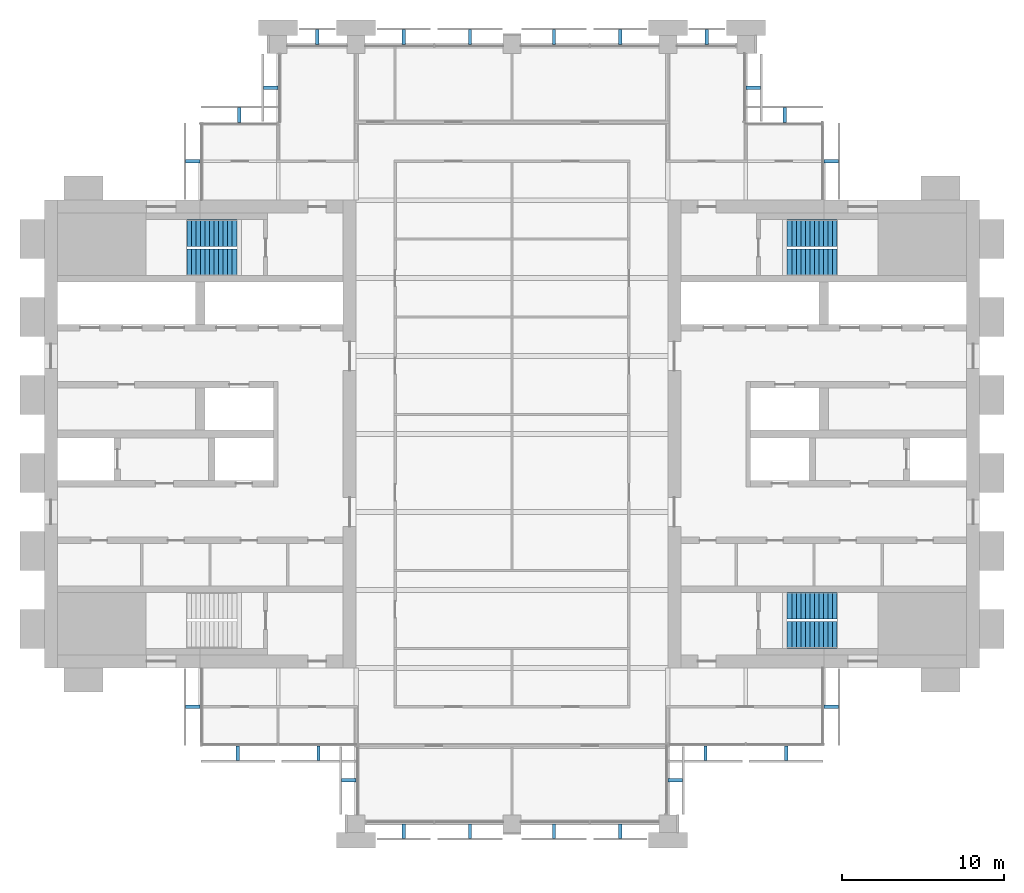
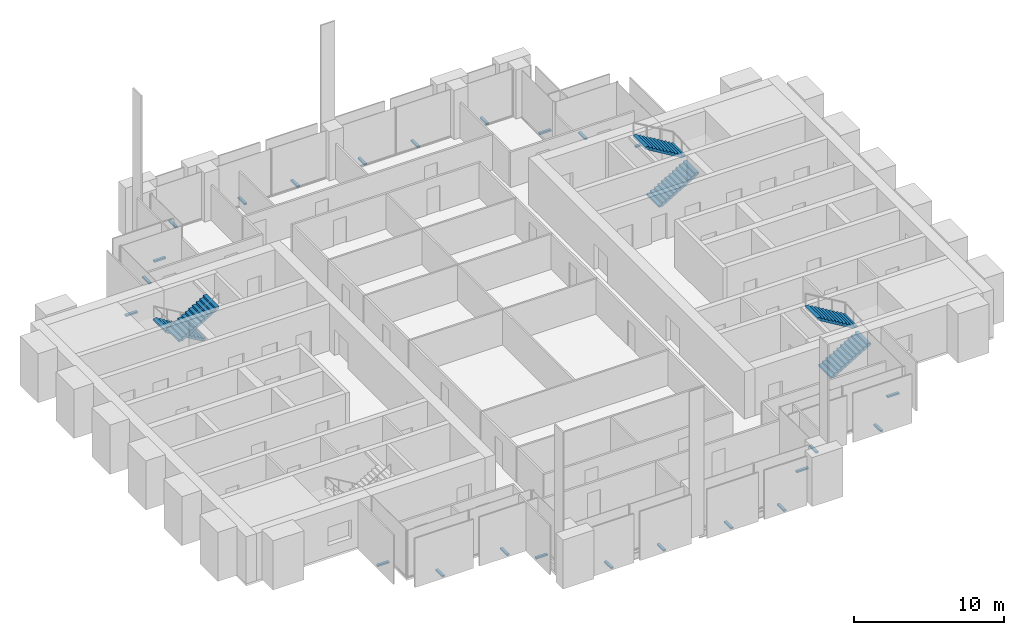
# One storey, part 12 of 13: 24 discrete accessories, 6 stair flights, 3 elements without a shape of their own.
"""IFC4 building model written with IfcOpenShell, lengths in metres."""

from ifc_helpers import new_model, si_unit, direction, frame, origin, origin_2d, place, context, subcontext, project, spatial, polyline, rectangle, outline, extrude, material, type_object, element, aggregate, save


model = new_model("IFC4")

# Units and contexts
model_context = context("Model", 3, precision=1e-05, world=origin(), true_north=direction((0.0, 1.0)))
body_context = subcontext(model_context, "Body", "Model", "MODEL_VIEW")
ifc_project = project(units=[si_unit("LENGTHUNIT", "METRE"), si_unit("AREAUNIT", "SQUARE_METRE"), si_unit("VOLUMEUNIT", "CUBIC_METRE"), si_unit("PLANEANGLEUNIT", "RADIAN"), si_unit("MASSUNIT", "GRAM", prefix="KILO")], contexts=[model_context])

# Site, building, storey
site_placement = place(None, origin())
site = spatial("IfcSite", under=ifc_project, at=site_placement, CompositionType="ELEMENT")
building_placement = place(site_placement, origin())
building = spatial("IfcBuilding", under=site, at=building_placement, Name="Baori Bourse Tower", CompositionType="ELEMENT")
storey_placement = place(building_placement, frame((0.0, 0.0, 201.199951171875)))
storey = spatial("IfcBuildingStorey", under=building, at=storey_placement, Name="L43", CompositionType="ELEMENT", Elevation=201.199951171875)

# Stair, stair flights
ifc_material_1 = material(Name="Concrete f'c 50 MPa", Category="concrete")
stair_type = type_object("IfcStairType", Name="Core stair", PredefinedType="HALF_TURN_STAIR", material=ifc_material_1)
stair_1_placement = place(storey_placement, origin())
stair_1 = element("IfcStair", 1, at=stair_1_placement, inside=storey, type_object=stair_type, Name="L43 Stair WB", PredefinedType="HALF_TURN_STAIR")
ifc_material_2 = material(Name="Concrete f'c 50 MPa", Category="concrete")
stair_flight_type = type_object("IfcStairFlightType", Name="Core stair flight", PredefinedType="STRAIGHT", material=ifc_material_2)
stair_flight_1_placement = place(storey_placement, frame((11.85009765625, 36.375, 0.0), z_axis=(0.0, 0.0, 1.0), x_axis=(-1.0, 0.0, 0.0)))
stair_flight_1 = element("IfcStairFlight", 2, at=stair_flight_1_placement, type_object=stair_flight_type, Name="ST2 flight 1", NumberOfRisers=12, NumberOfTreads=11, PredefinedType="STRAIGHT", RiserHeight=0.166666667, TreadLength=0.28, context=body_context, shape_type="SweptSolid", body=[
    extrude(outline(polyline([(0.0, 0.0), (0.0, 0.166748046875), (0.280029296875, 0.166748046875), (0.280029296875, 0.333251953125), (0.56005859375, 0.333251953125), (0.56005859375, 0.5), (0.840087890625, 0.5), (0.840087890625, 0.666748046875), (1.1201171875, 0.666748046875), (1.1201171875, 0.833251953125), (1.39990234375, 0.833251953125), (1.39990234375, 1.0), (1.679931640625, 1.0), (1.679931640625, 1.166748046875), (1.9599609375, 1.166748046875), (1.9599609375, 1.333251953125), (2.239990234375, 1.333251953125), (2.239990234375, 1.5), (2.52001953125, 1.5), (2.52001953125, 1.666748046875), (2.800048828125, 1.666748046875), (2.800048828125, 1.833251953125), (3.080078125, 1.833251953125), (3.080078125, 2.0), (3.080078125, 1.658935546875), (0.29296875, 0.0), (0.0, 0.0)])), frame((0.0, 0.824951171875, 0.0), z_axis=(0.0, -1.0, 0.0), x_axis=(1.0, 0.0, 0.0)), (0.0, 0.0, 1.0), 1.64990234375),
])
stair_flight_2_placement = place(storey_placement, frame((8.77001953125, 34.574951171875, 2.0), z_axis=(0.0, 0.0, 1.0), x_axis=(1.0, 0.0, 0.0)))
stair_flight_2 = element("IfcStairFlight", 3, at=stair_flight_2_placement, type_object=stair_flight_type, Name="ST2 flight 2", NumberOfRisers=12, NumberOfTreads=11, PredefinedType="STRAIGHT", RiserHeight=0.166666667, TreadLength=0.28, context=body_context, shape_type="SweptSolid", body=[
    extrude(outline(polyline([(0.0, 0.0), (0.0, 0.166748046875), (0.280029296875, 0.166748046875), (0.280029296875, 0.333251953125), (0.56005859375, 0.333251953125), (0.56005859375, 0.5), (0.840087890625, 0.5), (0.840087890625, 0.666748046875), (1.1201171875, 0.666748046875), (1.1201171875, 0.833251953125), (1.39990234375, 0.833251953125), (1.39990234375, 1.0), (1.679931640625, 1.0), (1.679931640625, 1.166748046875), (1.9599609375, 1.166748046875), (1.9599609375, 1.333251953125), (2.239990234375, 1.333251953125), (2.239990234375, 1.5), (2.52001953125, 1.5), (2.52001953125, 1.666748046875), (2.800048828125, 1.666748046875), (2.800048828125, 1.833251953125), (3.080078125, 1.833251953125), (3.080078125, 2.0), (3.080078125, 1.658935546875), (0.29296875, 0.0), (0.0, 0.0)])), frame((0.0, 0.824951171875, 0.0), z_axis=(0.0, -1.0, 0.0), x_axis=(1.0, 0.0, 0.0)), (0.0, 0.0, 1.0), 1.64990234375),
])
aggregate(stair_1, [stair_flight_1, stair_flight_2])

stair_2_placement = place(storey_placement, origin())
stair_2 = element("IfcStair", 4, at=stair_2_placement, inside=storey, type_object=stair_type, Name="L43 Stair EA", PredefinedType="HALF_TURN_STAIR")
stair_flight_3_placement = place(storey_placement, frame((45.75, 11.625, 0.0), z_axis=(0.0, 0.0, 1.0), x_axis=(1.0, 0.0, 0.0)))
stair_flight_3 = element("IfcStairFlight", 5, at=stair_flight_3_placement, type_object=stair_flight_type, Name="ST3 flight 1", NumberOfRisers=12, NumberOfTreads=11, PredefinedType="STRAIGHT", RiserHeight=0.166666667, TreadLength=0.28, context=body_context, shape_type="SweptSolid", body=[
    extrude(outline(polyline([(0.0, 0.0), (0.0, 0.166748046875), (0.280029296875, 0.166748046875), (0.280029296875, 0.333251953125), (0.56005859375, 0.333251953125), (0.56005859375, 0.5), (0.840087890625, 0.5), (0.840087890625, 0.666748046875), (1.1201171875, 0.666748046875), (1.1201171875, 0.833251953125), (1.39990234375, 0.833251953125), (1.39990234375, 1.0), (1.679931640625, 1.0), (1.679931640625, 1.166748046875), (1.9599609375, 1.166748046875), (1.9599609375, 1.333251953125), (2.239990234375, 1.333251953125), (2.239990234375, 1.5), (2.52001953125, 1.5), (2.52001953125, 1.666748046875), (2.800048828125, 1.666748046875), (2.800048828125, 1.833251953125), (3.080078125, 1.833251953125), (3.080078125, 2.0), (3.080078125, 1.658935546875), (0.29296875, 0.0), (0.0, 0.0)])), frame((0.0, 0.824951171875, 0.0), z_axis=(0.0, -1.0, 0.0), x_axis=(1.0, 0.0, 0.0)), (0.0, 0.0, 1.0), 1.64990234375),
])
stair_flight_4_placement = place(storey_placement, frame((48.830078125, 13.425048828125, 2.0), z_axis=(0.0, 0.0, 1.0), x_axis=(-1.0, 0.0, 0.0)))
stair_flight_4 = element("IfcStairFlight", 6, at=stair_flight_4_placement, type_object=stair_flight_type, Name="ST3 flight 2", NumberOfRisers=12, NumberOfTreads=11, PredefinedType="STRAIGHT", RiserHeight=0.166666667, TreadLength=0.28, context=body_context, shape_type="SweptSolid", body=[
    extrude(outline(polyline([(0.0, 0.0), (0.0, 0.166748046875), (0.280029296875, 0.166748046875), (0.280029296875, 0.333251953125), (0.56005859375, 0.333251953125), (0.56005859375, 0.5), (0.840087890625, 0.5), (0.840087890625, 0.666748046875), (1.1201171875, 0.666748046875), (1.1201171875, 0.833251953125), (1.39990234375, 0.833251953125), (1.39990234375, 1.0), (1.679931640625, 1.0), (1.679931640625, 1.166748046875), (1.9599609375, 1.166748046875), (1.9599609375, 1.333251953125), (2.239990234375, 1.333251953125), (2.239990234375, 1.5), (2.52001953125, 1.5), (2.52001953125, 1.666748046875), (2.800048828125, 1.666748046875), (2.800048828125, 1.833251953125), (3.080078125, 1.833251953125), (3.080078125, 2.0), (3.080078125, 1.658935546875), (0.29296875, 0.0), (0.0, 0.0)])), frame((0.0, 0.824951171875, 0.0), z_axis=(0.0, -1.0, 0.0), x_axis=(1.0, 0.0, 0.0)), (0.0, 0.0, 1.0), 1.64990234375),
])
aggregate(stair_2, [stair_flight_3, stair_flight_4])

stair_3_placement = place(storey_placement, origin())
stair_3 = element("IfcStair", 7, at=stair_3_placement, inside=storey, type_object=stair_type, Name="L43 Stair EB", PredefinedType="HALF_TURN_STAIR")
stair_flight_5_placement = place(storey_placement, frame((45.75, 34.574951171875, 0.0), z_axis=(0.0, 0.0, 1.0), x_axis=(1.0, 0.0, 0.0)))
stair_flight_5 = element("IfcStairFlight", 8, at=stair_flight_5_placement, type_object=stair_flight_type, Name="ST4 flight 1", NumberOfRisers=12, NumberOfTreads=11, PredefinedType="STRAIGHT", RiserHeight=0.166666667, TreadLength=0.28, context=body_context, shape_type="SweptSolid", body=[
    extrude(outline(polyline([(0.0, 0.0), (0.0, 0.166748046875), (0.280029296875, 0.166748046875), (0.280029296875, 0.333251953125), (0.56005859375, 0.333251953125), (0.56005859375, 0.5), (0.840087890625, 0.5), (0.840087890625, 0.666748046875), (1.1201171875, 0.666748046875), (1.1201171875, 0.833251953125), (1.39990234375, 0.833251953125), (1.39990234375, 1.0), (1.679931640625, 1.0), (1.679931640625, 1.166748046875), (1.9599609375, 1.166748046875), (1.9599609375, 1.333251953125), (2.239990234375, 1.333251953125), (2.239990234375, 1.5), (2.52001953125, 1.5), (2.52001953125, 1.666748046875), (2.800048828125, 1.666748046875), (2.800048828125, 1.833251953125), (3.080078125, 1.833251953125), (3.080078125, 2.0), (3.080078125, 1.658935546875), (0.29296875, 0.0), (0.0, 0.0)])), frame((0.0, 0.824951171875, 0.0), z_axis=(0.0, -1.0, 0.0), x_axis=(1.0, 0.0, 0.0)), (0.0, 0.0, 1.0), 1.64990234375),
])
stair_flight_6_placement = place(storey_placement, frame((48.830078125, 36.375, 2.0), z_axis=(0.0, 0.0, 1.0), x_axis=(-1.0, 0.0, 0.0)))
stair_flight_6 = element("IfcStairFlight", 9, at=stair_flight_6_placement, type_object=stair_flight_type, Name="ST4 flight 2", NumberOfRisers=12, NumberOfTreads=11, PredefinedType="STRAIGHT", RiserHeight=0.166666667, TreadLength=0.28, context=body_context, shape_type="SweptSolid", body=[
    extrude(outline(polyline([(0.0, 0.0), (0.0, 0.166748046875), (0.280029296875, 0.166748046875), (0.280029296875, 0.333251953125), (0.56005859375, 0.333251953125), (0.56005859375, 0.5), (0.840087890625, 0.5), (0.840087890625, 0.666748046875), (1.1201171875, 0.666748046875), (1.1201171875, 0.833251953125), (1.39990234375, 0.833251953125), (1.39990234375, 1.0), (1.679931640625, 1.0), (1.679931640625, 1.166748046875), (1.9599609375, 1.166748046875), (1.9599609375, 1.333251953125), (2.239990234375, 1.333251953125), (2.239990234375, 1.5), (2.52001953125, 1.5), (2.52001953125, 1.666748046875), (2.800048828125, 1.666748046875), (2.800048828125, 1.833251953125), (3.080078125, 1.833251953125), (3.080078125, 2.0), (3.080078125, 1.658935546875), (0.29296875, 0.0), (0.0, 0.0)])), frame((0.0, 0.824951171875, 0.0), z_axis=(0.0, -1.0, 0.0), x_axis=(1.0, 0.0, 0.0)), (0.0, 0.0, 1.0), 1.64990234375),
])
aggregate(stair_3, [stair_flight_5, stair_flight_6])

# Discrete accessories
ifc_material_3 = material(Name="Pale anodised aluminium", Category="aluminium")
discrete_accessory_type = type_object("IfcDiscreteAccessoryType", Name="OS2 Outer skin bracket", PredefinedType="BRACKET", material=ifc_material_3)
for number, where, z_axis, x_axis, name in (
    (10, (48.449951171875, 40.800048828125, -0.143798828125), (0.0, 0.0, 1.0), (0.0, 1.0, 0.0), "Outer skin bracket L43 1"),
    (11, (45.60009765625, 43.64990234375, -0.143798828125), (0.0, 0.0, 1.0), (-1.0, 0.0, 0.0), "Outer skin bracket L43 2"),
    (12, (43.64990234375, 45.324951171875, -0.143798828125), (0.0, 0.0, 1.0), (0.0, 1.0, 0.0), "Outer skin bracket L43 3"),
    (13, (40.800048828125, 48.449951171875, -0.143798828125), (0.0, 0.0, 1.0), (-1.0, 0.0, 0.0), "Outer skin bracket L43 4"),
    (14, (35.46240234375, 48.449951171875, -0.143798828125), (0.0, 0.0, 1.0), (-1.0, 0.0, 0.0), "Outer skin bracket L43 5"),
    (15, (31.387451171875, 48.449951171875, -0.143798828125), (0.0, 0.0, 1.0), (-1.0, 0.0, 0.0), "Outer skin bracket L43 6"),
    (16, (26.21240234375, 48.449951171875, -0.143798828125), (0.0, 0.0, 1.0), (-1.0, 0.0, 0.0), "Outer skin bracket L43 7"),
    (17, (22.137451171875, 48.449951171875, -0.143798828125), (0.0, 0.0, 1.0), (-1.0, 0.0, 0.0), "Outer skin bracket L43 8"),
    (18, (16.800048828125, 48.449951171875, -0.143798828125), (0.0, 0.0, 1.0), (-1.0, 0.0, 0.0), "Outer skin bracket L43 9"),
    (19, (13.949951171875, 45.324951171875, -0.143798828125), (0.0, 0.0, 1.0), (0.0, -1.0, 0.0), "Outer skin bracket L43 10"),
    (20, (12.0, 43.64990234375, -0.143798828125), (0.0, 0.0, 1.0), (-1.0, 0.0, 0.0), "Outer skin bracket L43 11"),
    (21, (9.14990234375, 40.800048828125, -0.143798828125), (0.0, 0.0, 1.0), (0.0, -1.0, 0.0), "Outer skin bracket L43 12"),
    (22, (9.14990234375, 7.199951171875, -0.143798828125), (0.0, 0.0, 1.0), (0.0, -1.0, 0.0), "Outer skin bracket L43 13"),
    (23, (11.91259765625, 4.35009765625, -0.143798828125), (0.0, 0.0, 1.0), (1.0, 0.0, 0.0), "Outer skin bracket L43 14"),
    (24, (16.887451171875, 4.35009765625, -0.143798828125), (0.0, 0.0, 1.0), (1.0, 0.0, 0.0), "Outer skin bracket L43 15"),
    (25, (18.75, 2.675048828125, -0.143798828125), (0.0, 0.0, 1.0), (0.0, -1.0, 0.0), "Outer skin bracket L43 16"),
    (26, (22.137451171875, -0.449951171875, -0.143798828125), (0.0, 0.0, 1.0), (1.0, 0.0, 0.0), "Outer skin bracket L43 17"),
    (27, (26.21240234375, -0.449951171875, -0.143798828125), (0.0, 0.0, 1.0), (1.0, 0.0, 0.0), "Outer skin bracket L43 18"),
    (28, (31.387451171875, -0.449951171875, -0.143798828125), (0.0, 0.0, 1.0), (1.0, 0.0, 0.0), "Outer skin bracket L43 19"),
    (29, (35.46240234375, -0.449951171875, -0.143798828125), (0.0, 0.0, 1.0), (1.0, 0.0, 0.0), "Outer skin bracket L43 20"),
    (30, (38.85009765625, 2.675048828125, -0.143798828125), (0.0, 0.0, 1.0), (0.0, 1.0, 0.0), "Outer skin bracket L43 21"),
    (31, (40.71240234375, 4.35009765625, -0.143798828125), (0.0, 0.0, 1.0), (1.0, 0.0, 0.0), "Outer skin bracket L43 22"),
    (32, (45.6875, 4.35009765625, -0.143798828125), (0.0, 0.0, 1.0), (1.0, 0.0, 0.0), "Outer skin bracket L43 23"),
    (33, (48.449951171875, 7.199951171875, -0.143798828125), (0.0, 0.0, 1.0), (0.0, 1.0, 0.0), "Outer skin bracket L43 24"),
):
    element("IfcDiscreteAccessory", number, at=place(storey_placement, frame(where, z_axis=z_axis, x_axis=x_axis)), inside=storey, type_object=discrete_accessory_type, Name=name, PredefinedType="BRACKET", context=body_context, shape_type="SweptSolid", body=[
        extrude(rectangle(XDim=0.199951171875, YDim=0.89990234375, at=origin_2d()), origin(), (0.0, 0.0, 1.0), 0.1279296875),
    ])

save(model, "model.ifc")
